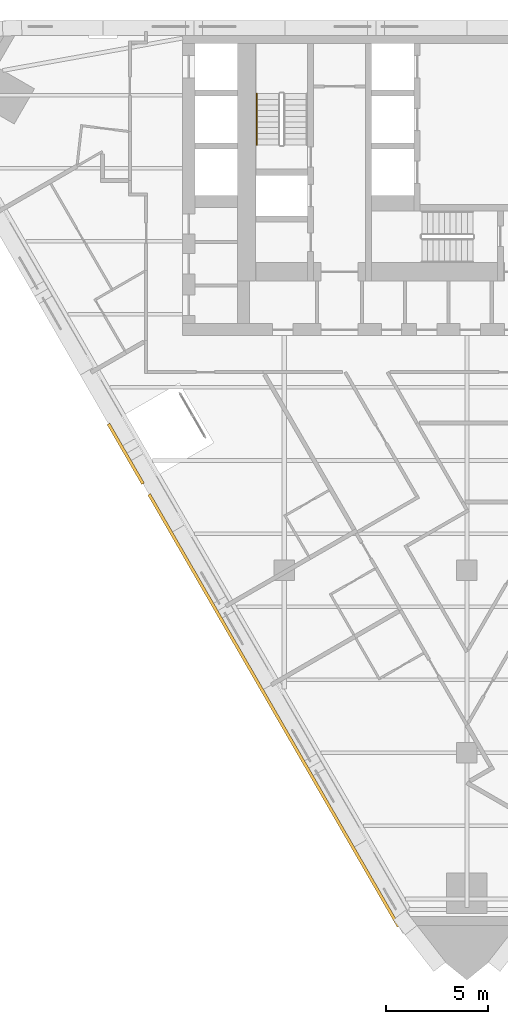
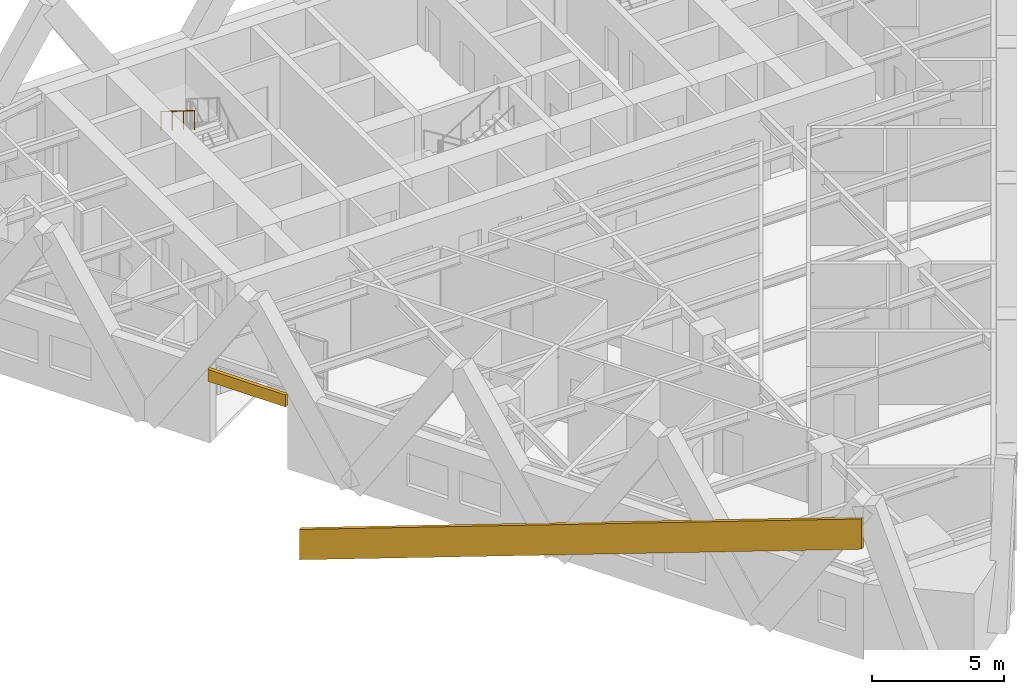
# One storey, part 11 of 12: 2 coverings, 1 railing.
"""IFC4 building model written with IfcOpenShell, lengths in metres."""

from ifc_helpers import new_model, si_unit, direction, frame, origin, origin_2d, place, context, subcontext, project, spatial, polyline, circle, outline, extrude, material, layer, layer_set, type_object, element, save


model = new_model("IFC4")

# Units and contexts
model_context = context("Model", 3, precision=1e-05, world=origin(), true_north=direction((0.0, 1.0)))
body_context = subcontext(model_context, "Body", "Model", "MODEL_VIEW")
ifc_project = project(units=[si_unit("LENGTHUNIT", "METRE"), si_unit("AREAUNIT", "SQUARE_METRE"), si_unit("VOLUMEUNIT", "CUBIC_METRE"), si_unit("PLANEANGLEUNIT", "RADIAN"), si_unit("MASSUNIT", "GRAM", prefix="KILO")], contexts=[model_context])

# Site, building, storey
site_placement = place(None, origin())
site = spatial("IfcSite", under=ifc_project, at=site_placement, CompositionType="ELEMENT")
building_placement = place(site_placement, origin())
building = spatial("IfcBuilding", under=site, at=building_placement, Name="Aloe Facet Convention Tower", CompositionType="ELEMENT")
storey_placement = place(building_placement, frame((0.0, 0.0, 56.0)))
storey = spatial("IfcBuildingStorey", under=building, at=storey_placement, Name="L12", CompositionType="ELEMENT", Elevation=56.0)

# Railing
ifc_material_1 = material(Name="Steel S355 handrail", Category="steel")
railing_type = type_object("IfcRailingType", Name="CR-RL-HAND", PredefinedType="HANDRAIL", material=ifc_material_1)
railing_placement = place(storey_placement, frame((69.64990234375, 131.469970703125, 1.925048828125)))
element("IfcRailing", 1, at=railing_placement, inside=storey, type_object=railing_type, Name="L12 ST1 stair handrail 2", PredefinedType="HANDRAIL", context=body_context, shape_type="SweptSolid", body=[
    extrude(circle(Radius=0.02392578125, at=origin_2d()), frame((0.0, 0.0, 0.8759765625), z_axis=(0.0, -0.848007534815, 0.529984170421), x_axis=(1.0, 0.0, 0.0)), (0.0, 0.0, 1.0), 2.9716796875),
    extrude(circle(Radius=0.02099609375, at=origin_2d()), origin(), (0.0, 0.0, 1.0), 0.851806640625),
    extrude(circle(Radius=0.02099609375, at=origin_2d()), frame((0.0, -0.840087890625, 0.52490234375)), (0.0, 0.0, 1.0), 0.851806640625),
    extrude(circle(Radius=0.02099609375, at=origin_2d()), frame((0.0, -1.679931640625, 1.050048828125)), (0.0, 0.0, 1.0), 0.851806640625),
    extrude(circle(Radius=0.02099609375, at=origin_2d()), frame((0.0, -2.52001953125, 1.574951171875)), (0.0, 0.0, 1.0), 0.851806640625),
])

# Coverings
ifc_material_2 = material(Name="Bronze oxide fascia sheet")
ifc_layer = layer(ifc_material_2, 0.14990234375)
ifc_layer_set = layer_set([ifc_layer], Name="EV-FASCIA-TERR")
covering_type = type_object("IfcCoveringType", Name="EV-FASCIA-TERR", PredefinedType="CLADDING", material=ifc_layer_set)
covering_1_placement = place(storey_placement, frame((0.0, 0.0, 2.800048828125)))
element("IfcCovering", 2, at=covering_1_placement, inside=storey, type_object=covering_type, Name="Terrace fascia T02 head", PredefinedType="CLADDING", context=body_context, shape_type="SweptSolid", body=[
    extrude(outline(polyline([(62.280029296875, 115.162353515625), (63.97998046875, 112.2177734375), (64.110107421875, 112.292724609375), (62.409912109375, 115.2373046875), (62.280029296875, 115.162353515625)])), origin(), (0.0, 0.0, 1.0), 0.550048828125),
])
covering_2_placement = place(storey_placement, frame((64.280029296875, 111.6982421875, -4.050048828125), z_axis=(-0.866024317036, -0.500001882299, 0.0), x_axis=(0.468934899392, -0.812214994296, 0.346996920984)))
element("IfcCovering", 3, at=covering_2_placement, inside=storey, type_object=covering_type, Name="Spiral ribbon zone 1 part 6", PredefinedType="CLADDING", context=body_context, shape_type="SweptSolid", body=[
    extrude(outline(polyline([(0.0, 0.0), (26.208412038511064, 0.0), (26.694173841470956, 1.3129211868280208), (0.48584651900505316, 1.31315015808488), (0.0, 0.0)])), origin(), (0.0, 0.0, -1.0), 0.14990234375),
])

save(model, "model.ifc")
